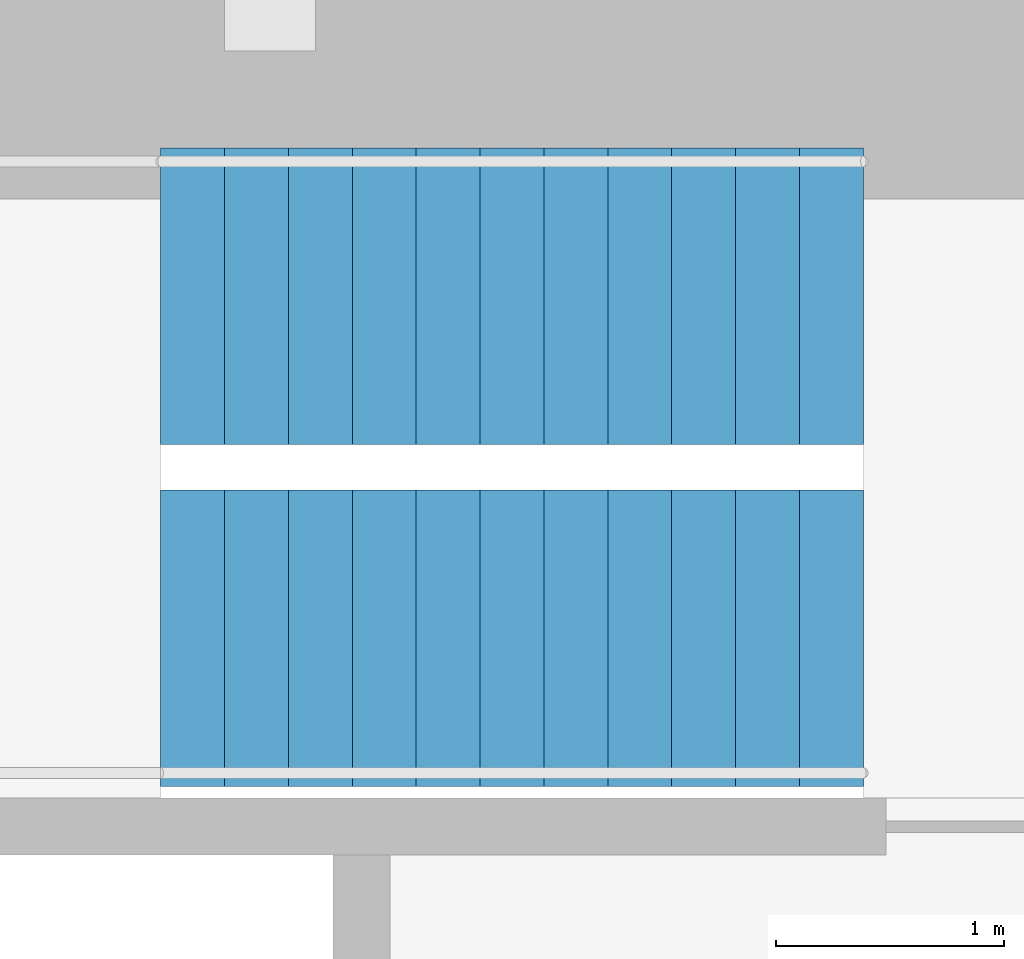
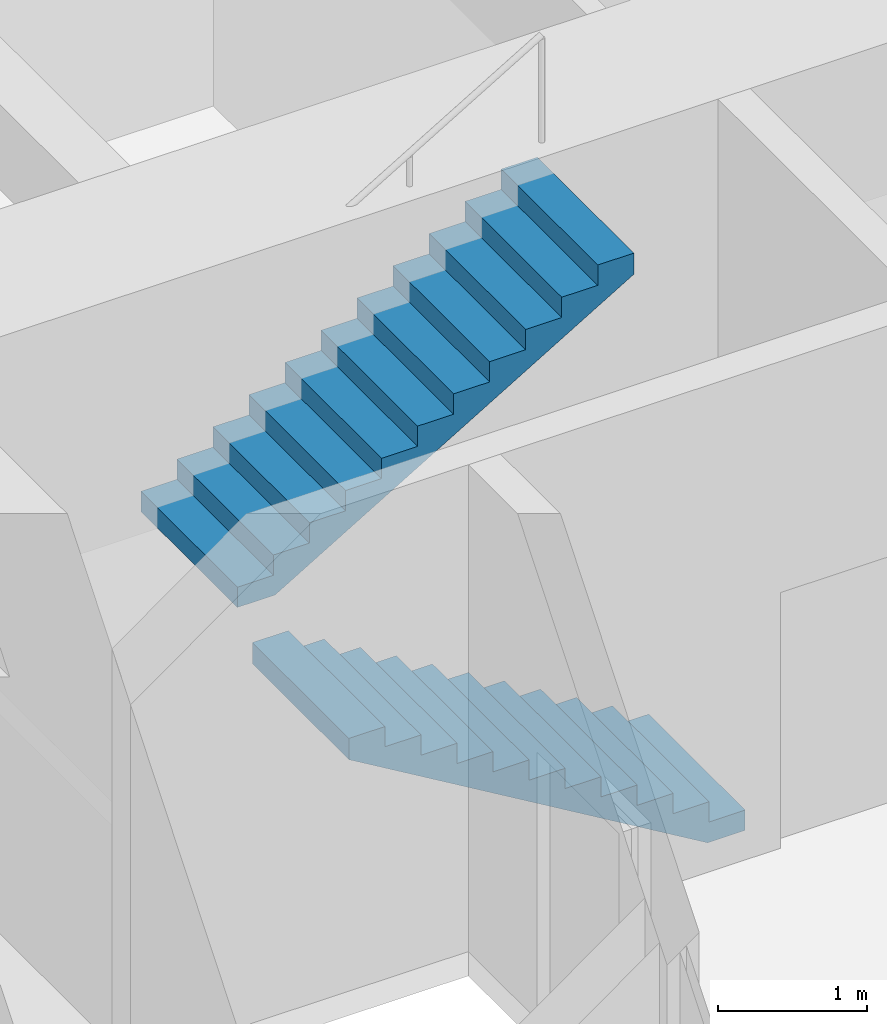
# One storey, part 12 of 13: 2 stair flights, 1 element without a shape of its own.
"""IFC4 building model written with IfcOpenShell, lengths in metres."""

import ifcopenshell
import ifcopenshell.guid

model = None  # the IFC model being written
_history = None  # IfcOwnerHistory: only IFC2X3 demands one
_inside = {}  # id of a spatial element -> (the spatial element, [elements in it])
_under = {}  # id of a project, library or spatial element -> (it, [spatial elements below it])
_declared = {}  # id of a project -> (the project, [libraries it declares])
_typed = {}  # id of a type object -> (the type object, [elements of that type])
_made_of = {}  # id of a material, layer set ... -> (it, [elements and type objects made of it])


def new_model(schema):
    """Start an empty IFC model of exactly this schema.

    Asked for "IFC4X3", IfcOpenShell would pick the latest addendum, in which some entities
    have other attributes; the version numbers below select the first issue.
    IFC2X3 requires an IfcOwnerHistory on every rooted entity: one is made here for all.
    """
    global model, _history
    if schema == "IFC4X3":
        model = ifcopenshell.file(schema_version=(4, 3, 0, 0))
    else:
        model = ifcopenshell.file(schema=schema)
    _inside.clear()
    _under.clear()
    _declared.clear()
    _typed.clear()
    _made_of.clear()
    _history = None
    if model.schema == "IFC2X3":
        org = make("IfcOrganization", Name="unknown")
        user = make(
            "IfcPersonAndOrganization",
            ThePerson=make("IfcPerson", FamilyName="unknown"),
            TheOrganization=org,
        )
        app = make(
            "IfcApplication",
            ApplicationDeveloper=org,
            Version="unknown",
            ApplicationFullName="unknown",
            ApplicationIdentifier="unknown",
        )
        _history = make(
            "IfcOwnerHistory",
            OwningUser=user,
            OwningApplication=app,
            ChangeAction="ADDED",
            CreationDate=0,
        )
    return model


def make(cls, **values):
    """One entity of the class cls with the attributes given. An attribute that is None is left unset."""
    return model.create_entity(
        cls, **{name: value for name, value in values.items() if value is not None}
    )


def rooted(cls, **values):
    """An entity with a GlobalId (a new one), such as an element, a storey or a relation."""
    return make(cls, GlobalId=ifcopenshell.guid.new(), OwnerHistory=_history, **values)


def si_unit(unit_type, name, prefix=None):
    """IfcSIUnit, for example si_unit("LENGTHUNIT", "METRE", prefix="MILLI")."""
    return make("IfcSIUnit", UnitType=unit_type, Prefix=prefix, Name=name)


def assignment(units):
    """IfcUnitAssignment: the units of a project."""
    return None if units is None else make("IfcUnitAssignment", Units=units)


def point(xyz):
    """IfcCartesianPoint."""
    return None if xyz is None else make("IfcCartesianPoint", Coordinates=xyz)


def direction(xyz):
    """IfcDirection."""
    return None if xyz is None else make("IfcDirection", DirectionRatios=xyz)


def frame(location, z_axis=None, x_axis=None):
    """IfcAxis2Placement3D, a coordinate frame: its origin and axes. An axis left out is left unset."""
    return make(
        "IfcAxis2Placement3D",
        Location=point(location),
        Axis=direction(z_axis),
        RefDirection=direction(x_axis),
    )


def origin():
    """The frame at (0, 0, 0) with its axes left unset."""
    return frame((0.0, 0.0, 0.0))


def place(relative_to, where):
    """IfcLocalPlacement: puts the frame where relative to a parent placement (None: the world)."""
    return make(
        "IfcLocalPlacement", PlacementRelTo=relative_to, RelativePlacement=where
    )


def context(
    kind, dimensions, precision=None, world=None, true_north=None, identifier=None
):
    """IfcGeometricRepresentationContext, for example the 3D "Model" context."""
    return make(
        "IfcGeometricRepresentationContext",
        ContextIdentifier=identifier,
        ContextType=kind,
        CoordinateSpaceDimension=dimensions,
        Precision=precision,
        WorldCoordinateSystem=world,
        TrueNorth=true_north,
    )


def subcontext(parent, identifier, kind, view, scale=None):
    """IfcGeometricRepresentationSubContext, for example "Body" below "Model"."""
    return make(
        "IfcGeometricRepresentationSubContext",
        ContextIdentifier=identifier,
        ContextType=kind,
        ParentContext=parent,
        TargetScale=scale,
        TargetView=view,
    )


def project(units=None, contexts=None):
    """IfcProject with its units and contexts."""
    return rooted(
        "IfcProject",
        Name="project",
        RepresentationContexts=contexts,
        UnitsInContext=assignment(units),
    )


def spatial(cls, under=None, at=None, **own):
    """A site, building, storey or space (cls), placed at a placement, below another one or the project."""
    s = rooted(cls, ObjectPlacement=at, **own)
    if under is not None:
        _under.setdefault(under.id(), (under, []))[1].append(s)
    return s


def polyline(points):
    """IfcPolyline through the points."""
    return make("IfcPolyline", Points=[point(p) for p in points])


def outline(outer, holes=None, kind="AREA"):
    """IfcArbitraryClosedProfileDef: a profile drawn as a closed curve; with holes, ...WithVoids."""
    if holes is None:
        return make("IfcArbitraryClosedProfileDef", ProfileType=kind, OuterCurve=outer)
    return make(
        "IfcArbitraryProfileDefWithVoids",
        ProfileType=kind,
        OuterCurve=outer,
        InnerCurves=holes,
    )


def extrude(swept, where, along, depth):
    """IfcExtrudedAreaSolid: the profile swept, set in the frame where, extruded along a direction by depth."""
    return make(
        "IfcExtrudedAreaSolid",
        SweptArea=swept,
        Position=where,
        ExtrudedDirection=direction(along),
        Depth=depth,
    )


def shape(context_of_items, identifier, shape_type, items):
    """IfcShapeRepresentation: the items that make up one representation, for example the "Body"."""
    return make(
        "IfcShapeRepresentation",
        ContextOfItems=context_of_items,
        RepresentationIdentifier=identifier,
        RepresentationType=shape_type,
        Items=items,
    )


def material(Name=None, Category=None):
    """IfcMaterial."""
    return make("IfcMaterial", Name=Name, Category=Category)


def made_of(thing, what):
    """Note that an element or type object is made of a material, layer set ...; save() writes the relation."""
    if what is not None:
        _made_of.setdefault(what.id(), (what, []))[1].append(thing)
    return thing


def type_object(cls, material=None, **own):
    """A type object (cls), such as IfcWallType, which elements share."""
    return made_of(rooted(cls, **own), material)


def element(
    cls,
    number,
    at=None,
    inside=None,
    cuts=None,
    type_object=None,
    material=None,
    context=None,
    identifier="Body",
    shape_type=None,
    held_by="IfcProductDefinitionShape",
    body=None,
    shapes=None,
    **own,
):
    """One element of the class cls, such as IfcWall. Its Tag is "e" and its number.

    at: its placement. inside: the storey or other place that contains it. cuts: it is an
    opening in that element (IfcRelVoidsElement). A single representation is given by context,
    identifier, shape_type and body (its items); several are given by shapes. held_by: the class
    of the entity that holds the representations. save() writes the other relations.
    """
    e = rooted(cls, Tag="e%d" % number, ObjectPlacement=at, **own)
    if body is not None:
        shapes = [shape(context, identifier, shape_type, body)]
    if shapes is not None:
        e.Representation = make(held_by, Representations=shapes)
    if inside is not None:
        _inside.setdefault(inside.id(), (inside, []))[1].append(e)
    if cuts is not None:
        rooted(
            "IfcRelVoidsElement", RelatingBuildingElement=cuts, RelatedOpeningElement=e
        )
    if type_object is not None:
        _typed.setdefault(type_object.id(), (type_object, []))[1].append(e)
    return made_of(e, material)


def aggregate(whole, parts):
    """IfcRelAggregates: a whole, such as a stair, and the parts it consists of."""
    return rooted("IfcRelAggregates", RelatingObject=whole, RelatedObjects=parts)


def save(model, path):
    """Write the relations noted so far, then the file.

    IfcRelAggregates (storeys below a building ...), IfcRelContainedInSpatialStructure (elements
    in a storey), IfcRelDefinesByType, IfcRelAssociatesMaterial and IfcRelDeclares: one each for
    every whole, place, type object, material and project.
    """
    for whole, parts in _under.values():
        aggregate(whole, parts)
    for where, things in _inside.values():
        rooted(
            "IfcRelContainedInSpatialStructure",
            RelatedElements=things,
            RelatingStructure=where,
        )
    for kind, things in _typed.values():
        rooted("IfcRelDefinesByType", RelatedObjects=things, RelatingType=kind)
    for what, things in _made_of.values():
        rooted("IfcRelAssociatesMaterial", RelatedObjects=things, RelatingMaterial=what)
    for by, libraries in _declared.values():
        rooted("IfcRelDeclares", RelatingContext=by, RelatedDefinitions=libraries)
    model.write(path)


model = new_model("IFC4")

# Units and contexts
model_context = context("Model", 3, precision=1e-05, world=origin(), true_north=direction((0.0, 1.0)))
body_context = subcontext(model_context, "Body", "Model", "MODEL_VIEW")
ifc_project = project(units=[si_unit("LENGTHUNIT", "METRE"), si_unit("AREAUNIT", "SQUARE_METRE"), si_unit("VOLUMEUNIT", "CUBIC_METRE"), si_unit("PLANEANGLEUNIT", "RADIAN"), si_unit("MASSUNIT", "GRAM", prefix="KILO")], contexts=[model_context])

# Site, building, storey
site_placement = place(None, origin())
site = spatial("IfcSite", under=ifc_project, at=site_placement, CompositionType="ELEMENT")
building_placement = place(site_placement, origin())
building = spatial("IfcBuilding", under=site, at=building_placement, Name="Torre Cruceta", CompositionType="ELEMENT")
storey_placement = place(building_placement, frame((0.0, 0.0, 156.5)))
storey = spatial("IfcBuildingStorey", under=building, at=storey_placement, Name="L38", CompositionType="ELEMENT", Elevation=156.5)

# Stair, stair flights
ifc_material_1 = material(Name="Concrete G30 (fck 30 MPa)", Category="concrete")
stair_type = type_object("IfcStairType", Name="STAIR HALF-TURN 1300", PredefinedType="HALF_TURN_STAIR", material=ifc_material_1)
stair_placement = place(storey_placement, origin())
stair = element("IfcStair", 1, at=stair_placement, inside=storey, type_object=stair_type, Name="Stair ST1 L38", PredefinedType="HALF_TURN_STAIR")
ifc_material_2 = material(Name="Concrete G30 (fck 30 MPa)", Category="concrete")
stair_flight_type = type_object("IfcStairFlightType", Name="STAIR FLIGHT 1300", PredefinedType="STRAIGHT", material=ifc_material_2)
stair_flight_1_placement = place(storey_placement, frame((-3.39990234375, 6.425048828125, 0.0), z_axis=(0.0, 0.0, 1.0), x_axis=(-1.0, 0.0, 0.0)))
stair_flight_1 = element("IfcStairFlight", 2, at=stair_flight_1_placement, type_object=stair_flight_type, Name="ST1 flight 1", NumberOfRisers=12, NumberOfTreads=11, PredefinedType="STRAIGHT", RiserHeight=0.166666667, TreadLength=0.28, context=body_context, shape_type="SweptSolid", body=[
    extrude(outline(polyline([(0.0, 0.0), (0.0, 0.166748046875), (0.280029296875, 0.166748046875), (0.280029296875, 0.333251953125), (0.56005859375, 0.333251953125), (0.56005859375, 0.5), (0.840087890625, 0.5), (0.840087890625, 0.666748046875), (1.1201171875, 0.666748046875), (1.1201171875, 0.833251953125), (1.39990234375, 0.833251953125), (1.39990234375, 1.0), (1.679931640625, 1.0), (1.679931640625, 1.166748046875), (1.9599609375, 1.166748046875), (1.9599609375, 1.333251953125), (2.239990234375, 1.333251953125), (2.239990234375, 1.5), (2.52001953125, 1.5), (2.52001953125, 1.666748046875), (2.800048828125, 1.666748046875), (2.800048828125, 1.833251953125), (3.080078125, 1.833251953125), (3.080078125, 2.0), (3.080078125, 1.658935546875), (0.29296875, 0.0), (0.0, 0.0)])), frame((0.0, 0.64990234375, 0.0), z_axis=(0.0, -1.0, 0.0), x_axis=(1.0, 0.0, 0.0)), (0.0, 0.0, 1.0), 1.300048828125),
])
stair_flight_2_placement = place(storey_placement, frame((-6.47998046875, 7.925048828125, 2.0), z_axis=(0.0, 0.0, 1.0), x_axis=(1.0, 0.0, 0.0)))
stair_flight_2 = element("IfcStairFlight", 3, at=stair_flight_2_placement, type_object=stair_flight_type, Name="ST1 flight 2", NumberOfRisers=12, NumberOfTreads=11, PredefinedType="STRAIGHT", RiserHeight=0.166666667, TreadLength=0.28, context=body_context, shape_type="SweptSolid", body=[
    extrude(outline(polyline([(0.0, 0.0), (0.0, 0.166748046875), (0.280029296875, 0.166748046875), (0.280029296875, 0.333251953125), (0.56005859375, 0.333251953125), (0.56005859375, 0.5), (0.840087890625, 0.5), (0.840087890625, 0.666748046875), (1.1201171875, 0.666748046875), (1.1201171875, 0.833251953125), (1.39990234375, 0.833251953125), (1.39990234375, 1.0), (1.679931640625, 1.0), (1.679931640625, 1.166748046875), (1.9599609375, 1.166748046875), (1.9599609375, 1.333251953125), (2.239990234375, 1.333251953125), (2.239990234375, 1.5), (2.52001953125, 1.5), (2.52001953125, 1.666748046875), (2.800048828125, 1.666748046875), (2.800048828125, 1.833251953125), (3.080078125, 1.833251953125), (3.080078125, 2.0), (3.080078125, 1.658935546875), (0.29296875, 0.0), (0.0, 0.0)])), frame((0.0, 0.64990234375, 0.0), z_axis=(0.0, -1.0, 0.0), x_axis=(1.0, 0.0, 0.0)), (0.0, 0.0, 1.0), 1.300048828125),
])
aggregate(stair, [stair_flight_1, stair_flight_2])

save(model, "model.ifc")
